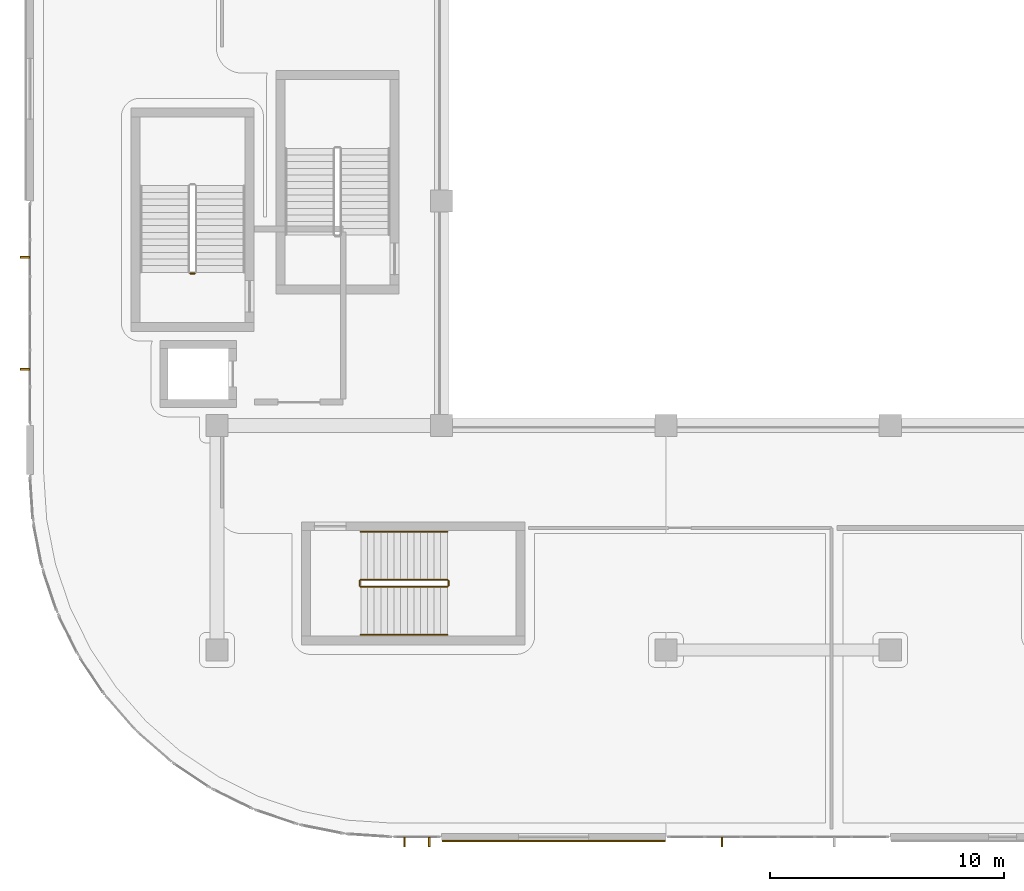
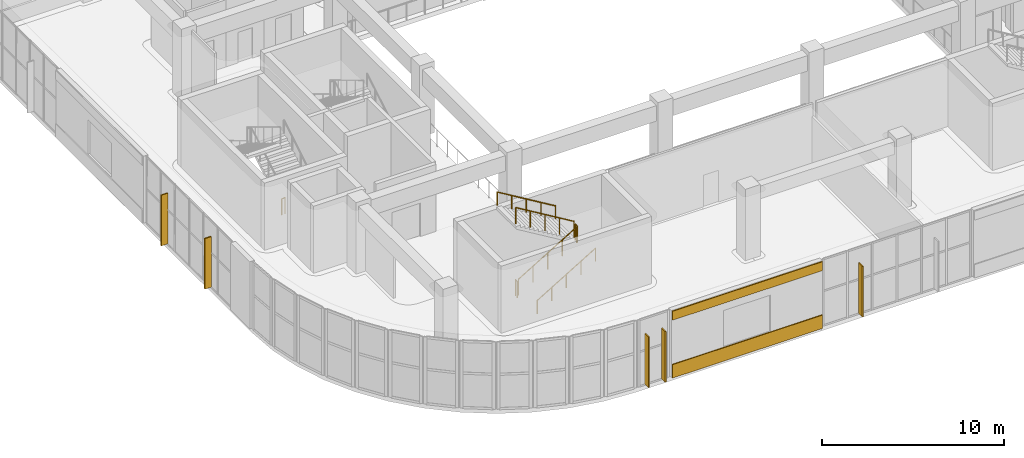
# One storey, part 63 of 86: 7 railings, 5 shading devices, 2 coverings.
"""IFC4 building model written with IfcOpenShell, lengths in metres."""

from ifc_helpers import new_model, si_unit, direction, frame, origin, origin_2d, place, context, subcontext, project, spatial, rectangle, circle, extrude, material, layer, layer_set, type_object, element, save


model = new_model("IFC4")

# Units and contexts
model_context = context("Model", 3, precision=1e-05, world=origin(), true_north=direction((0.0, 1.0)))
body_context = subcontext(model_context, "Body", "Model", "MODEL_VIEW")
ifc_project = project(units=[si_unit("LENGTHUNIT", "METRE"), si_unit("AREAUNIT", "SQUARE_METRE"), si_unit("VOLUMEUNIT", "CUBIC_METRE"), si_unit("PLANEANGLEUNIT", "RADIAN"), si_unit("MASSUNIT", "GRAM", prefix="KILO")], contexts=[model_context])

# Site, building, storey
site_placement = place(None, origin())
site = spatial("IfcSite", under=ifc_project, at=site_placement, CompositionType="ELEMENT")
building_placement = place(site_placement, origin())
building = spatial("IfcBuilding", under=site, at=building_placement, Name="Cendralis Terraced Arcade", CompositionType="ELEMENT")
storey_placement = place(building_placement, frame((0.0, 0.0, 5.39990234375)))
storey = spatial("IfcBuildingStorey", under=building, at=storey_placement, Name="L01", CompositionType="ELEMENT", Elevation=5.39990234375)

# Coverings
ifc_material_1 = material(Name="Precast concrete f'c 40 MPa", Category="concrete")
ifc_layer = layer(ifc_material_1, 0.06494140625, Name="COV-CLAD-GRC-65")
ifc_layer_set = layer_set([ifc_layer], Name="Precast concrete f'c 40 MPa")
covering_type = type_object("IfcCoveringType", Name="COV-CLAD-GRC-65", PredefinedType="CLADDING", material=ifc_layer_set)
covering_1_placement = place(storey_placement, frame((24.0, 1.419921875, 0.000244140625), z_axis=(0.0, 0.0, 1.0), x_axis=(-1.0, 0.0, 0.0)))
element("IfcCovering", 1, at=covering_1_placement, inside=storey, type_object=covering_type, Name="Banded Precast Stone Spandrel Cladding L01-181", PredefinedType="CLADDING", context=body_context, shape_type="SweptSolid", body=[
    extrude(rectangle(XDim=9.5400390625, YDim=0.06494140625, at=origin_2d()), origin(), (0.0, 0.0, 1.0), 0.89990234375),
])
covering_2_placement = place(storey_placement, frame((24.0, 1.419921875, 3.885009765625), z_axis=(0.0, 0.0, 1.0), x_axis=(-1.0, 0.0, 0.0)))
element("IfcCovering", 2, at=covering_2_placement, inside=storey, type_object=covering_type, Name="Banded Precast Stone Lintel Cladding L01-182", PredefinedType="CLADDING", context=body_context, shape_type="SweptSolid", body=[
    extrude(rectangle(XDim=9.5400390625, YDim=0.06494140625, at=origin_2d()), origin(), (0.0, 0.0, 1.0), 0.60009765625),
])

# Railings
ifc_material_2 = material(Name="Brushed stainless steel AISI 316", Category="steel")
railing_type_1 = type_object("IfcRailingType", Name="RL-STAIR-GUARD-1100", PredefinedType="GUARDRAIL", material=ifc_material_2)
railing_1_placement = place(storey_placement, frame((8.64990234375, 25.699951171875, 0.0)))
element("IfcRailing", 3, at=railing_1_placement, inside=storey, type_object=railing_type_1, Name="L01 ST-01 stair guard 4", PredefinedType="GUARDRAIL", context=body_context, shape_type="SweptSolid", body=[
    extrude(circle(Radius=0.02392578125, at=origin_2d()), frame((0.0, 0.0, 1.076171875), z_axis=(-1.0, 0.0, 0.0), x_axis=(0.0, -1.0, 0.0)), (0.0, 0.0, 1.0), 0.199951171875),
    extrude(circle(Radius=0.02099609375, at=origin_2d()), origin(), (0.0, 0.0, 1.0), 1.052001953125),
    extrude(circle(Radius=0.02099609375, at=origin_2d()), frame((-0.199951171875, 0.0, 0.0)), (0.0, 0.0, 1.0), 1.052001953125),
])
railing_2_placement = place(storey_placement, frame((15.75, 12.300048828125, 0.171630859375)))
element("IfcRailing", 4, at=railing_2_placement, inside=storey, type_object=railing_type_1, Name="L01 ST-02 stair guard 1", PredefinedType="GUARDRAIL", context=body_context, shape_type="SweptSolid", body=[
    extrude(circle(Radius=0.02392578125, at=origin_2d()), frame((0.0, 0.0, 1.076171875), z_axis=(0.856934400257, 0.0, 0.515425487977), x_axis=(0.0, 1.0, 0.0)), (0.0, 0.0, 1.0), 4.32373046875),
    extrude(circle(Radius=0.02099609375, at=origin_2d()), origin(), (0.0, 0.0, 1.0), 1.052001953125),
    extrude(circle(Radius=0.02099609375, at=origin_2d()), frame((0.92626953125, 0.0, 0.55712890625)), (0.0, 0.0, 1.0), 1.052001953125),
    extrude(circle(Radius=0.02099609375, at=origin_2d()), frame((1.8525390625, 0.0, 1.1142578125)), (0.0, 0.0, 1.0), 1.052001953125),
    extrude(circle(Radius=0.02099609375, at=origin_2d()), frame((2.77880859375, 0.0, 1.67138671875)), (0.0, 0.0, 1.0), 1.052001953125),
    extrude(circle(Radius=0.02099609375, at=origin_2d()), frame((3.705078125, 0.0, 2.228515625)), (0.0, 0.0, 1.0), 1.052001953125),
])
railing_3_placement = place(storey_placement, frame((19.5048828125, 12.35009765625, 2.400146484375)))
element("IfcRailing", 5, at=railing_3_placement, inside=storey, type_object=railing_type_1, Name="L01 ST-02 stair guard 2", PredefinedType="GUARDRAIL", context=body_context, shape_type="SweptSolid", body=[
    extrude(circle(Radius=0.02392578125, at=origin_2d()), frame((0.0, 0.0, 1.076171875), z_axis=(0.0, 1.0, 0.0), x_axis=(-1.0, 0.0, 0.0)), (0.0, 0.0, 1.0), 0.199951171875),
    extrude(circle(Radius=0.02099609375, at=origin_2d()), origin(), (0.0, 0.0, 1.0), 1.052001953125),
    extrude(circle(Radius=0.02099609375, at=origin_2d()), frame((0.0, 0.199951171875, 0.0)), (0.0, 0.0, 1.0), 1.052001953125),
])
railing_4_placement = place(storey_placement, frame((19.455078125, 12.60009765625, 2.571533203125)))
element("IfcRailing", 6, at=railing_4_placement, inside=storey, type_object=railing_type_1, Name="L01 ST-02 stair guard 3", PredefinedType="GUARDRAIL", context=body_context, shape_type="SweptSolid", body=[
    extrude(circle(Radius=0.02392578125, at=origin_2d()), frame((0.0, 0.0, 1.076171875), z_axis=(-0.856934400257, 0.0, 0.515425487977), x_axis=(0.0, -1.0, 0.0)), (0.0, 0.0, 1.0), 4.32373046875),
    extrude(circle(Radius=0.02099609375, at=origin_2d()), origin(), (0.0, 0.0, 1.0), 1.052001953125),
    extrude(circle(Radius=0.02099609375, at=origin_2d()), frame((-0.92626953125, 0.0, 0.55712890625)), (0.0, 0.0, 1.0), 1.052001953125),
    extrude(circle(Radius=0.02099609375, at=origin_2d()), frame((-1.8525390625, 0.0, 1.1142578125)), (0.0, 0.0, 1.0), 1.052001953125),
    extrude(circle(Radius=0.02099609375, at=origin_2d()), frame((-2.77880859375, 0.0, 1.67138671875)), (0.0, 0.0, 1.0), 1.052001953125),
    extrude(circle(Radius=0.02099609375, at=origin_2d()), frame((-3.705078125, 0.0, 2.228515625)), (0.0, 0.0, 1.0), 1.052001953125),
])
railing_5_placement = place(storey_placement, frame((15.699951171875, 12.35009765625, 0.0)))
element("IfcRailing", 7, at=railing_5_placement, inside=storey, type_object=railing_type_1, Name="L01 ST-02 stair guard 4", PredefinedType="GUARDRAIL", context=body_context, shape_type="SweptSolid", body=[
    extrude(circle(Radius=0.02392578125, at=origin_2d()), frame((0.0, 0.0, 1.076171875), z_axis=(0.0, 1.0, 0.0), x_axis=(-1.0, 0.0, 0.0)), (0.0, 0.0, 1.0), 0.199951171875),
    extrude(circle(Radius=0.02099609375, at=origin_2d()), origin(), (0.0, 0.0, 1.0), 1.052001953125),
    extrude(circle(Radius=0.02099609375, at=origin_2d()), frame((0.0, 0.199951171875, 0.0)), (0.0, 0.0, 1.0), 1.052001953125),
])
railing_type_2 = type_object("IfcRailingType", Name="RL-STAIR-HAND-900", PredefinedType="HANDRAIL", material=ifc_material_2)
railing_6_placement = place(storey_placement, frame((15.75, 10.25, 0.171630859375)))
element("IfcRailing", 8, at=railing_6_placement, inside=storey, type_object=railing_type_2, Name="L01 ST-02 stair handrail 1", PredefinedType="HANDRAIL", context=body_context, shape_type="SweptSolid", body=[
    extrude(circle(Radius=0.02392578125, at=origin_2d()), frame((0.0, 0.0, 0.8759765625), z_axis=(0.856934400257, 0.0, 0.515425487977), x_axis=(0.0, 1.0, 0.0)), (0.0, 0.0, 1.0), 4.32373046875),
    extrude(circle(Radius=0.02099609375, at=origin_2d()), origin(), (0.0, 0.0, 1.0), 0.851806640625),
    extrude(circle(Radius=0.02099609375, at=origin_2d()), frame((0.92626953125, 0.0, 0.55712890625)), (0.0, 0.0, 1.0), 0.851806640625),
    extrude(circle(Radius=0.02099609375, at=origin_2d()), frame((1.8525390625, 0.0, 1.1142578125)), (0.0, 0.0, 1.0), 0.851806640625),
    extrude(circle(Radius=0.02099609375, at=origin_2d()), frame((2.77880859375, 0.0, 1.67138671875)), (0.0, 0.0, 1.0), 0.851806640625),
    extrude(circle(Radius=0.02099609375, at=origin_2d()), frame((3.705078125, 0.0, 2.228515625)), (0.0, 0.0, 1.0), 0.851806640625),
])
railing_7_placement = place(storey_placement, frame((19.455078125, 14.64990234375, 2.571533203125)))
element("IfcRailing", 9, at=railing_7_placement, inside=storey, type_object=railing_type_2, Name="L01 ST-02 stair handrail 2", PredefinedType="HANDRAIL", context=body_context, shape_type="SweptSolid", body=[
    extrude(circle(Radius=0.02392578125, at=origin_2d()), frame((0.0, 0.0, 0.8759765625), z_axis=(-0.856934400257, 0.0, 0.515425487977), x_axis=(0.0, -1.0, 0.0)), (0.0, 0.0, 1.0), 4.32373046875),
    extrude(circle(Radius=0.02099609375, at=origin_2d()), origin(), (0.0, 0.0, 1.0), 0.851806640625),
    extrude(circle(Radius=0.02099609375, at=origin_2d()), frame((-0.92626953125, 0.0, 0.55712890625)), (0.0, 0.0, 1.0), 0.851806640625),
    extrude(circle(Radius=0.02099609375, at=origin_2d()), frame((-1.8525390625, 0.0, 1.1142578125)), (0.0, 0.0, 1.0), 0.851806640625),
    extrude(circle(Radius=0.02099609375, at=origin_2d()), frame((-2.77880859375, 0.0, 1.67138671875)), (0.0, 0.0, 1.0), 0.851806640625),
    extrude(circle(Radius=0.02099609375, at=origin_2d()), frame((-3.705078125, 0.0, 2.228515625)), (0.0, 0.0, 1.0), 0.851806640625),
])

# Shading devices
ifc_material_3 = material(Name="Anodised aluminium EN AW-6063 T6", Category="aluminium")
shading_device_type = type_object("IfcShadingDeviceType", Name="SHD-FIN-420", PredefinedType="USERDEFINED", material=ifc_material_3)
for number, where, z_axis, x_axis, name in (
    (10, (31.199951171875, 1.385009765625, 0.050048828125), (0.0, 0.0, 1.0), (-1.0, 0.0, 0.0), "Parametric Vertical Solar Fin FIN-L01-026"),
    (11, (18.675048828125, 1.385009765625, 0.050048828125), (0.0, 0.0, 1.0), (-1.0, 0.0, 0.0), "Parametric Vertical Solar Fin FIN-L01-027"),
    (12, (17.625, 1.385009765625, 0.050048828125), (0.0, 0.0, 1.0), (-1.0, 0.0, 0.0), "Parametric Vertical Solar Fin FIN-L01-028"),
    (13, (1.385009765625, 21.60009765625, 0.050048828125), (0.0, 0.0, 1.0), (0.0, 1.0, 0.0), "Parametric Vertical Solar Fin FIN-L01-029"),
    (14, (1.385009765625, 26.39990234375, 0.050048828125), (0.0, 0.0, 1.0), (0.0, 1.0, 0.0), "Parametric Vertical Solar Fin FIN-L01-030"),
):
    element("IfcShadingDevice", number, at=place(storey_placement, frame(where, z_axis=z_axis, x_axis=x_axis)), inside=storey, type_object=shading_device_type, Name=name, ObjectType="FIN", PredefinedType="USERDEFINED", context=body_context, shape_type="SweptSolid", body=[
        extrude(rectangle(XDim=0.074951171875, YDim=0.419921875, at=origin_2d()), origin(), (0.0, 0.0, 1.0), 3.39990234375),
    ])

save(model, "model.ifc")
